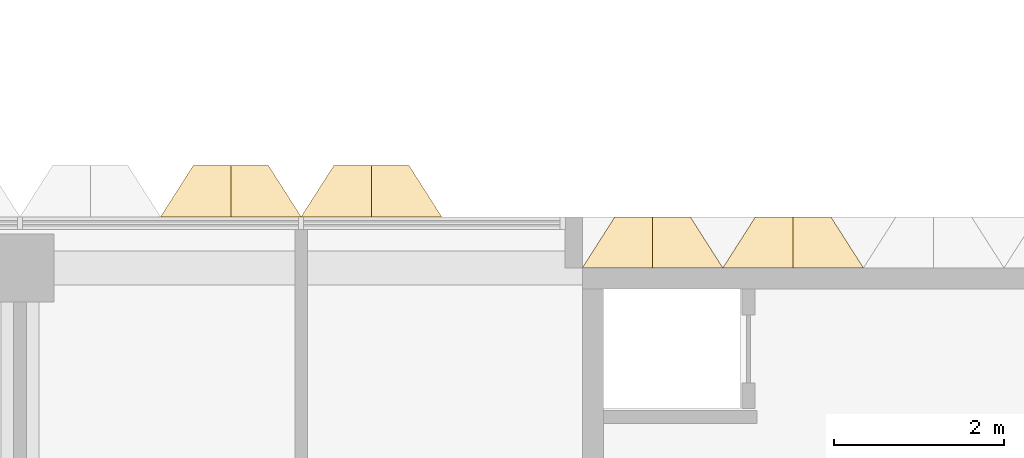
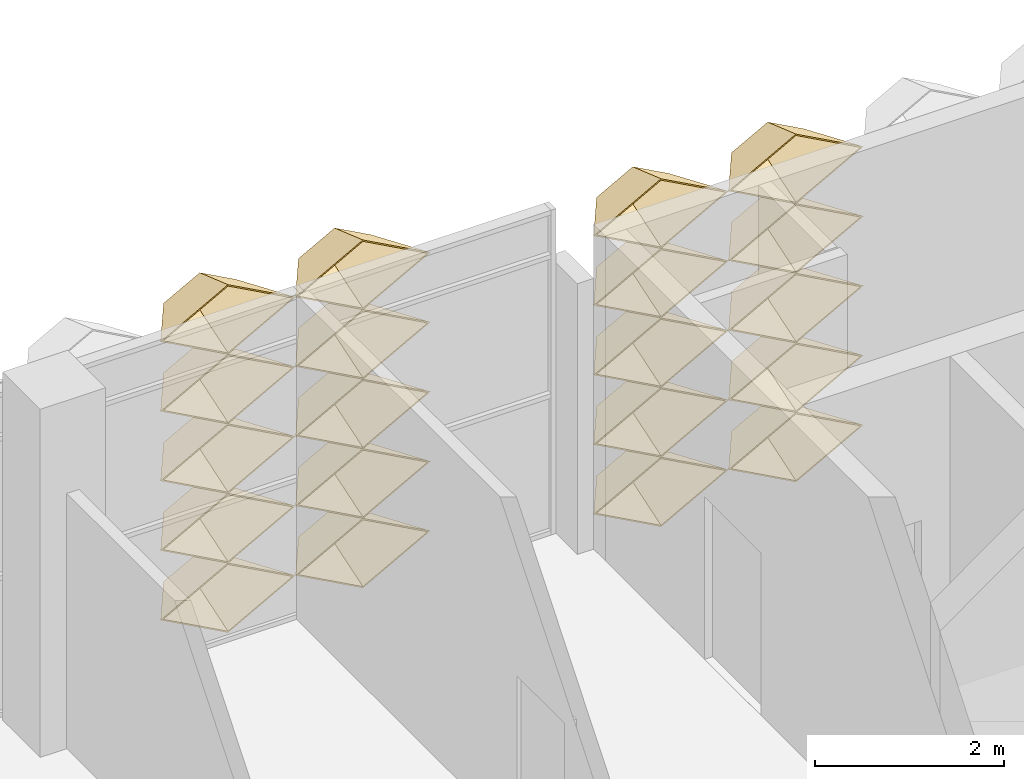
# One storey, part 50 of 87: 20 coverings.
"""IFC4 building model written with IfcOpenShell, lengths in metres."""

from ifc_helpers import new_model, entity, si_unit, direction, frame, origin, place, context, subcontext, project, spatial, material, layer, layer_set, type_object, element, save


model = new_model("IFC4")

# Units and contexts
model_context = context("Model", 3, precision=1e-05, world=origin(), true_north=direction((0.0, 1.0)))
body_context = subcontext(model_context, "Body", "Model", "MODEL_VIEW")
ifc_project = project(units=[si_unit("LENGTHUNIT", "METRE"), si_unit("AREAUNIT", "SQUARE_METRE"), si_unit("VOLUMEUNIT", "CUBIC_METRE"), si_unit("PLANEANGLEUNIT", "RADIAN"), si_unit("MASSUNIT", "GRAM", prefix="KILO")], contexts=[model_context])

# Site, building, storey
site_placement = place(None, origin())
site = spatial("IfcSite", under=ifc_project, at=site_placement, CompositionType="ELEMENT")
building_placement = place(site_placement, origin())
building = spatial("IfcBuilding", under=site, at=building_placement, Name="Lantern Court Research Institute", CompositionType="ELEMENT")
storey_placement = place(building_placement, frame((0.0, 0.0, 5.39990234375)))
storey = spatial("IfcBuildingStorey", under=building, at=storey_placement, Name="L01", CompositionType="ELEMENT", Elevation=5.39990234375)

# Coverings
ifc_material = material(Name="Anodised aluminium", Category="aluminium")
ifc_layer = layer(ifc_material, 0.01611328125)
ifc_layer_set = layer_set([ifc_layer], Name="Anodised aluminium")
covering_type = type_object("IfcCoveringType", Name="Fin cassette 1650 x 900 x 600 aluminium", PredefinedType="CLADDING", material=ifc_layer_set)
covering_1_placement = place(storey_placement, frame((20.625, 23.10009765625, 0.4501953125), z_axis=(0.0, 1.0, 0.0), x_axis=(-1.0, 0.0, 0.0)))
cartesian_point_1 = entity("IfcCartesianPoint", [0.824951171875, 0.0])
cartesian_point_2 = entity("IfcCartesianPoint", [0.79150390625, 0.0])
cartesian_point_3 = entity("IfcCartesianPoint", [0.44189453125, 0.0])
cartesian_point_4 = entity("IfcCartesianPoint", [0.43359375, 0.0])
element("IfcCovering", 1, at=covering_1_placement, inside=storey, type_object=covering_type, Name="Fin cassette V4N-L01 1.13", PredefinedType="CLADDING", context=body_context, shape_type="SweptSolid", body=[
    entity("IfcExtrudedAreaSolidTapered", entity("IfcArbitraryProfileDefWithVoids", "AREA", None, entity("IfcPolyline", [cartesian_point_1, entity("IfcCartesianPoint", [0.0, 0.449951171875]), entity("IfcCartesianPoint", [-0.824951171875, 0.0]), entity("IfcCartesianPoint", [0.0, -0.449951171875]), cartesian_point_1]), [entity("IfcPolyline", [cartesian_point_2, entity("IfcCartesianPoint", [0.0, 0.431884765625]), entity("IfcCartesianPoint", [-0.79150390625, 0.0]), entity("IfcCartesianPoint", [0.0, -0.431884765625]), cartesian_point_2])]), entity("IfcAxis2Placement3D", entity("IfcCartesianPoint", [0.0, 0.0, 0.0])), entity("IfcDirection", [0.0, 0.0, 1.0]), 0.60009765625, entity("IfcArbitraryProfileDefWithVoids", "AREA", None, entity("IfcPolyline", [cartesian_point_3, entity("IfcCartesianPoint", [0.0, 0.240966796875]), entity("IfcCartesianPoint", [-0.44189453125, 0.0]), entity("IfcCartesianPoint", [0.0, -0.240966796875]), cartesian_point_3]), [entity("IfcPolyline", [cartesian_point_4, entity("IfcCartesianPoint", [0.0, 0.236572265625]), entity("IfcCartesianPoint", [-0.43359375, 0.0]), entity("IfcCartesianPoint", [0.0, -0.236572265625]), cartesian_point_4])])),
])
covering_2_placement = place(storey_placement, frame((22.27490234375, 23.10009765625, 0.4501953125), z_axis=(0.0, 1.0, 0.0), x_axis=(-1.0, 0.0, 0.0)))
cartesian_point_5 = entity("IfcCartesianPoint", [0.824951171875, 0.0])
cartesian_point_6 = entity("IfcCartesianPoint", [0.79150390625, 0.0])
cartesian_point_7 = entity("IfcCartesianPoint", [0.44189453125, 0.0])
cartesian_point_8 = entity("IfcCartesianPoint", [0.43359375, 0.0])
element("IfcCovering", 2, at=covering_2_placement, inside=storey, type_object=covering_type, Name="Fin cassette V4N-L01 1.14", PredefinedType="CLADDING", context=body_context, shape_type="SweptSolid", body=[
    entity("IfcExtrudedAreaSolidTapered", entity("IfcArbitraryProfileDefWithVoids", "AREA", None, entity("IfcPolyline", [cartesian_point_5, entity("IfcCartesianPoint", [0.0, 0.449951171875]), entity("IfcCartesianPoint", [-0.824951171875, 0.0]), entity("IfcCartesianPoint", [0.0, -0.449951171875]), cartesian_point_5]), [entity("IfcPolyline", [cartesian_point_6, entity("IfcCartesianPoint", [0.0, 0.431884765625]), entity("IfcCartesianPoint", [-0.79150390625, 0.0]), entity("IfcCartesianPoint", [0.0, -0.431884765625]), cartesian_point_6])]), entity("IfcAxis2Placement3D", entity("IfcCartesianPoint", [0.0, 0.0, 0.0])), entity("IfcDirection", [0.0, 0.0, 1.0]), 0.60009765625, entity("IfcArbitraryProfileDefWithVoids", "AREA", None, entity("IfcPolyline", [cartesian_point_7, entity("IfcCartesianPoint", [0.0, 0.240966796875]), entity("IfcCartesianPoint", [-0.44189453125, 0.0]), entity("IfcCartesianPoint", [0.0, -0.240966796875]), cartesian_point_7]), [entity("IfcPolyline", [cartesian_point_8, entity("IfcCartesianPoint", [0.0, 0.236572265625]), entity("IfcCartesianPoint", [-0.43359375, 0.0]), entity("IfcCartesianPoint", [0.0, -0.236572265625]), cartesian_point_8])])),
])
covering_3_placement = place(storey_placement, frame((20.625, 23.10009765625, 1.35009765625), z_axis=(0.0, 1.0, 0.0), x_axis=(-1.0, 0.0, 0.0)))
cartesian_point_9 = entity("IfcCartesianPoint", [0.824951171875, 0.0])
cartesian_point_10 = entity("IfcCartesianPoint", [0.79150390625, 0.0])
cartesian_point_11 = entity("IfcCartesianPoint", [0.44189453125, 0.0])
cartesian_point_12 = entity("IfcCartesianPoint", [0.43359375, 0.0])
element("IfcCovering", 3, at=covering_3_placement, inside=storey, type_object=covering_type, Name="Fin cassette V4N-L01 2.13", PredefinedType="CLADDING", context=body_context, shape_type="SweptSolid", body=[
    entity("IfcExtrudedAreaSolidTapered", entity("IfcArbitraryProfileDefWithVoids", "AREA", None, entity("IfcPolyline", [cartesian_point_9, entity("IfcCartesianPoint", [0.0, 0.449951171875]), entity("IfcCartesianPoint", [-0.824951171875, 0.0]), entity("IfcCartesianPoint", [0.0, -0.449951171875]), cartesian_point_9]), [entity("IfcPolyline", [cartesian_point_10, entity("IfcCartesianPoint", [0.0, 0.431884765625]), entity("IfcCartesianPoint", [-0.79150390625, 0.0]), entity("IfcCartesianPoint", [0.0, -0.431884765625]), cartesian_point_10])]), entity("IfcAxis2Placement3D", entity("IfcCartesianPoint", [0.0, 0.0, 0.0])), entity("IfcDirection", [0.0, 0.0, 1.0]), 0.60009765625, entity("IfcArbitraryProfileDefWithVoids", "AREA", None, entity("IfcPolyline", [cartesian_point_11, entity("IfcCartesianPoint", [0.0, 0.240966796875]), entity("IfcCartesianPoint", [-0.44189453125, 0.0]), entity("IfcCartesianPoint", [0.0, -0.240966796875]), cartesian_point_11]), [entity("IfcPolyline", [cartesian_point_12, entity("IfcCartesianPoint", [0.0, 0.236572265625]), entity("IfcCartesianPoint", [-0.43359375, 0.0]), entity("IfcCartesianPoint", [0.0, -0.236572265625]), cartesian_point_12])])),
])
covering_4_placement = place(storey_placement, frame((22.27490234375, 23.10009765625, 1.35009765625), z_axis=(0.0, 1.0, 0.0), x_axis=(-1.0, 0.0, 0.0)))
cartesian_point_13 = entity("IfcCartesianPoint", [0.824951171875, 0.0])
cartesian_point_14 = entity("IfcCartesianPoint", [0.79150390625, 0.0])
cartesian_point_15 = entity("IfcCartesianPoint", [0.44189453125, 0.0])
cartesian_point_16 = entity("IfcCartesianPoint", [0.43359375, 0.0])
element("IfcCovering", 4, at=covering_4_placement, inside=storey, type_object=covering_type, Name="Fin cassette V4N-L01 2.14", PredefinedType="CLADDING", context=body_context, shape_type="SweptSolid", body=[
    entity("IfcExtrudedAreaSolidTapered", entity("IfcArbitraryProfileDefWithVoids", "AREA", None, entity("IfcPolyline", [cartesian_point_13, entity("IfcCartesianPoint", [0.0, 0.449951171875]), entity("IfcCartesianPoint", [-0.824951171875, 0.0]), entity("IfcCartesianPoint", [0.0, -0.449951171875]), cartesian_point_13]), [entity("IfcPolyline", [cartesian_point_14, entity("IfcCartesianPoint", [0.0, 0.431884765625]), entity("IfcCartesianPoint", [-0.79150390625, 0.0]), entity("IfcCartesianPoint", [0.0, -0.431884765625]), cartesian_point_14])]), entity("IfcAxis2Placement3D", entity("IfcCartesianPoint", [0.0, 0.0, 0.0])), entity("IfcDirection", [0.0, 0.0, 1.0]), 0.60009765625, entity("IfcArbitraryProfileDefWithVoids", "AREA", None, entity("IfcPolyline", [cartesian_point_15, entity("IfcCartesianPoint", [0.0, 0.240966796875]), entity("IfcCartesianPoint", [-0.44189453125, 0.0]), entity("IfcCartesianPoint", [0.0, -0.240966796875]), cartesian_point_15]), [entity("IfcPolyline", [cartesian_point_16, entity("IfcCartesianPoint", [0.0, 0.236572265625]), entity("IfcCartesianPoint", [-0.43359375, 0.0]), entity("IfcCartesianPoint", [0.0, -0.236572265625]), cartesian_point_16])])),
])
covering_5_placement = place(storey_placement, frame((20.625, 23.10009765625, 2.25), z_axis=(0.0, 1.0, 0.0), x_axis=(-1.0, 0.0, 0.0)))
cartesian_point_17 = entity("IfcCartesianPoint", [0.824951171875, 0.0])
cartesian_point_18 = entity("IfcCartesianPoint", [0.79150390625, 0.0])
cartesian_point_19 = entity("IfcCartesianPoint", [0.44189453125, 0.0])
cartesian_point_20 = entity("IfcCartesianPoint", [0.43359375, 0.0])
element("IfcCovering", 5, at=covering_5_placement, inside=storey, type_object=covering_type, Name="Fin cassette V4N-L01 3.13", PredefinedType="CLADDING", context=body_context, shape_type="SweptSolid", body=[
    entity("IfcExtrudedAreaSolidTapered", entity("IfcArbitraryProfileDefWithVoids", "AREA", None, entity("IfcPolyline", [cartesian_point_17, entity("IfcCartesianPoint", [0.0, 0.449951171875]), entity("IfcCartesianPoint", [-0.824951171875, 0.0]), entity("IfcCartesianPoint", [0.0, -0.449951171875]), cartesian_point_17]), [entity("IfcPolyline", [cartesian_point_18, entity("IfcCartesianPoint", [0.0, 0.431884765625]), entity("IfcCartesianPoint", [-0.79150390625, 0.0]), entity("IfcCartesianPoint", [0.0, -0.431884765625]), cartesian_point_18])]), entity("IfcAxis2Placement3D", entity("IfcCartesianPoint", [0.0, 0.0, 0.0])), entity("IfcDirection", [0.0, 0.0, 1.0]), 0.60009765625, entity("IfcArbitraryProfileDefWithVoids", "AREA", None, entity("IfcPolyline", [cartesian_point_19, entity("IfcCartesianPoint", [0.0, 0.240966796875]), entity("IfcCartesianPoint", [-0.44189453125, 0.0]), entity("IfcCartesianPoint", [0.0, -0.240966796875]), cartesian_point_19]), [entity("IfcPolyline", [cartesian_point_20, entity("IfcCartesianPoint", [0.0, 0.236572265625]), entity("IfcCartesianPoint", [-0.43359375, 0.0]), entity("IfcCartesianPoint", [0.0, -0.236572265625]), cartesian_point_20])])),
])
covering_6_placement = place(storey_placement, frame((22.27490234375, 23.10009765625, 2.25), z_axis=(0.0, 1.0, 0.0), x_axis=(-1.0, 0.0, 0.0)))
cartesian_point_21 = entity("IfcCartesianPoint", [0.824951171875, 0.0])
cartesian_point_22 = entity("IfcCartesianPoint", [0.79150390625, 0.0])
cartesian_point_23 = entity("IfcCartesianPoint", [0.44189453125, 0.0])
cartesian_point_24 = entity("IfcCartesianPoint", [0.43359375, 0.0])
element("IfcCovering", 6, at=covering_6_placement, inside=storey, type_object=covering_type, Name="Fin cassette V4N-L01 3.14", PredefinedType="CLADDING", context=body_context, shape_type="SweptSolid", body=[
    entity("IfcExtrudedAreaSolidTapered", entity("IfcArbitraryProfileDefWithVoids", "AREA", None, entity("IfcPolyline", [cartesian_point_21, entity("IfcCartesianPoint", [0.0, 0.449951171875]), entity("IfcCartesianPoint", [-0.824951171875, 0.0]), entity("IfcCartesianPoint", [0.0, -0.449951171875]), cartesian_point_21]), [entity("IfcPolyline", [cartesian_point_22, entity("IfcCartesianPoint", [0.0, 0.431884765625]), entity("IfcCartesianPoint", [-0.79150390625, 0.0]), entity("IfcCartesianPoint", [0.0, -0.431884765625]), cartesian_point_22])]), entity("IfcAxis2Placement3D", entity("IfcCartesianPoint", [0.0, 0.0, 0.0])), entity("IfcDirection", [0.0, 0.0, 1.0]), 0.60009765625, entity("IfcArbitraryProfileDefWithVoids", "AREA", None, entity("IfcPolyline", [cartesian_point_23, entity("IfcCartesianPoint", [0.0, 0.240966796875]), entity("IfcCartesianPoint", [-0.44189453125, 0.0]), entity("IfcCartesianPoint", [0.0, -0.240966796875]), cartesian_point_23]), [entity("IfcPolyline", [cartesian_point_24, entity("IfcCartesianPoint", [0.0, 0.236572265625]), entity("IfcCartesianPoint", [-0.43359375, 0.0]), entity("IfcCartesianPoint", [0.0, -0.236572265625]), cartesian_point_24])])),
])
covering_7_placement = place(storey_placement, frame((20.625, 23.10009765625, 3.150146484375), z_axis=(0.0, 1.0, 0.0), x_axis=(-1.0, 0.0, 0.0)))
cartesian_point_25 = entity("IfcCartesianPoint", [0.824951171875, 0.0])
cartesian_point_26 = entity("IfcCartesianPoint", [0.79150390625, 0.0])
cartesian_point_27 = entity("IfcCartesianPoint", [0.44189453125, 0.0])
cartesian_point_28 = entity("IfcCartesianPoint", [0.43359375, 0.0])
element("IfcCovering", 7, at=covering_7_placement, inside=storey, type_object=covering_type, Name="Fin cassette V4N-L01 4.13", PredefinedType="CLADDING", context=body_context, shape_type="SweptSolid", body=[
    entity("IfcExtrudedAreaSolidTapered", entity("IfcArbitraryProfileDefWithVoids", "AREA", None, entity("IfcPolyline", [cartesian_point_25, entity("IfcCartesianPoint", [0.0, 0.449951171875]), entity("IfcCartesianPoint", [-0.824951171875, 0.0]), entity("IfcCartesianPoint", [0.0, -0.449951171875]), cartesian_point_25]), [entity("IfcPolyline", [cartesian_point_26, entity("IfcCartesianPoint", [0.0, 0.431884765625]), entity("IfcCartesianPoint", [-0.79150390625, 0.0]), entity("IfcCartesianPoint", [0.0, -0.431884765625]), cartesian_point_26])]), entity("IfcAxis2Placement3D", entity("IfcCartesianPoint", [0.0, 0.0, 0.0])), entity("IfcDirection", [0.0, 0.0, 1.0]), 0.60009765625, entity("IfcArbitraryProfileDefWithVoids", "AREA", None, entity("IfcPolyline", [cartesian_point_27, entity("IfcCartesianPoint", [0.0, 0.240966796875]), entity("IfcCartesianPoint", [-0.44189453125, 0.0]), entity("IfcCartesianPoint", [0.0, -0.240966796875]), cartesian_point_27]), [entity("IfcPolyline", [cartesian_point_28, entity("IfcCartesianPoint", [0.0, 0.236572265625]), entity("IfcCartesianPoint", [-0.43359375, 0.0]), entity("IfcCartesianPoint", [0.0, -0.236572265625]), cartesian_point_28])])),
])
covering_8_placement = place(storey_placement, frame((22.27490234375, 23.10009765625, 3.150146484375), z_axis=(0.0, 1.0, 0.0), x_axis=(-1.0, 0.0, 0.0)))
cartesian_point_29 = entity("IfcCartesianPoint", [0.824951171875, 0.0])
cartesian_point_30 = entity("IfcCartesianPoint", [0.79150390625, 0.0])
cartesian_point_31 = entity("IfcCartesianPoint", [0.44189453125, 0.0])
cartesian_point_32 = entity("IfcCartesianPoint", [0.43359375, 0.0])
element("IfcCovering", 8, at=covering_8_placement, inside=storey, type_object=covering_type, Name="Fin cassette V4N-L01 4.14", PredefinedType="CLADDING", context=body_context, shape_type="SweptSolid", body=[
    entity("IfcExtrudedAreaSolidTapered", entity("IfcArbitraryProfileDefWithVoids", "AREA", None, entity("IfcPolyline", [cartesian_point_29, entity("IfcCartesianPoint", [0.0, 0.449951171875]), entity("IfcCartesianPoint", [-0.824951171875, 0.0]), entity("IfcCartesianPoint", [0.0, -0.449951171875]), cartesian_point_29]), [entity("IfcPolyline", [cartesian_point_30, entity("IfcCartesianPoint", [0.0, 0.431884765625]), entity("IfcCartesianPoint", [-0.79150390625, 0.0]), entity("IfcCartesianPoint", [0.0, -0.431884765625]), cartesian_point_30])]), entity("IfcAxis2Placement3D", entity("IfcCartesianPoint", [0.0, 0.0, 0.0])), entity("IfcDirection", [0.0, 0.0, 1.0]), 0.60009765625, entity("IfcArbitraryProfileDefWithVoids", "AREA", None, entity("IfcPolyline", [cartesian_point_31, entity("IfcCartesianPoint", [0.0, 0.240966796875]), entity("IfcCartesianPoint", [-0.44189453125, 0.0]), entity("IfcCartesianPoint", [0.0, -0.240966796875]), cartesian_point_31]), [entity("IfcPolyline", [cartesian_point_32, entity("IfcCartesianPoint", [0.0, 0.236572265625]), entity("IfcCartesianPoint", [-0.43359375, 0.0]), entity("IfcCartesianPoint", [0.0, -0.236572265625]), cartesian_point_32])])),
])
covering_9_placement = place(storey_placement, frame((20.625, 23.10009765625, 4.050048828125), z_axis=(0.0, 1.0, 0.0), x_axis=(-1.0, 0.0, 0.0)))
cartesian_point_33 = entity("IfcCartesianPoint", [0.824951171875, 0.0])
cartesian_point_34 = entity("IfcCartesianPoint", [0.79150390625, 0.0])
cartesian_point_35 = entity("IfcCartesianPoint", [0.44189453125, 0.0])
cartesian_point_36 = entity("IfcCartesianPoint", [0.43359375, 0.0])
element("IfcCovering", 9, at=covering_9_placement, inside=storey, type_object=covering_type, Name="Fin cassette V4N-L01 5.13", PredefinedType="CLADDING", context=body_context, shape_type="SweptSolid", body=[
    entity("IfcExtrudedAreaSolidTapered", entity("IfcArbitraryProfileDefWithVoids", "AREA", None, entity("IfcPolyline", [cartesian_point_33, entity("IfcCartesianPoint", [0.0, 0.449951171875]), entity("IfcCartesianPoint", [-0.824951171875, 0.0]), entity("IfcCartesianPoint", [0.0, -0.449951171875]), cartesian_point_33]), [entity("IfcPolyline", [cartesian_point_34, entity("IfcCartesianPoint", [0.0, 0.431884765625]), entity("IfcCartesianPoint", [-0.79150390625, 0.0]), entity("IfcCartesianPoint", [0.0, -0.431884765625]), cartesian_point_34])]), entity("IfcAxis2Placement3D", entity("IfcCartesianPoint", [0.0, 0.0, 0.0])), entity("IfcDirection", [0.0, 0.0, 1.0]), 0.60009765625, entity("IfcArbitraryProfileDefWithVoids", "AREA", None, entity("IfcPolyline", [cartesian_point_35, entity("IfcCartesianPoint", [0.0, 0.240966796875]), entity("IfcCartesianPoint", [-0.44189453125, 0.0]), entity("IfcCartesianPoint", [0.0, -0.240966796875]), cartesian_point_35]), [entity("IfcPolyline", [cartesian_point_36, entity("IfcCartesianPoint", [0.0, 0.236572265625]), entity("IfcCartesianPoint", [-0.43359375, 0.0]), entity("IfcCartesianPoint", [0.0, -0.236572265625]), cartesian_point_36])])),
])
covering_10_placement = place(storey_placement, frame((22.27490234375, 23.10009765625, 4.050048828125), z_axis=(0.0, 1.0, 0.0), x_axis=(-1.0, 0.0, 0.0)))
cartesian_point_37 = entity("IfcCartesianPoint", [0.824951171875, 0.0])
cartesian_point_38 = entity("IfcCartesianPoint", [0.79150390625, 0.0])
cartesian_point_39 = entity("IfcCartesianPoint", [0.44189453125, 0.0])
cartesian_point_40 = entity("IfcCartesianPoint", [0.43359375, 0.0])
element("IfcCovering", 10, at=covering_10_placement, inside=storey, type_object=covering_type, Name="Fin cassette V4N-L01 5.14", PredefinedType="CLADDING", context=body_context, shape_type="SweptSolid", body=[
    entity("IfcExtrudedAreaSolidTapered", entity("IfcArbitraryProfileDefWithVoids", "AREA", None, entity("IfcPolyline", [cartesian_point_37, entity("IfcCartesianPoint", [0.0, 0.449951171875]), entity("IfcCartesianPoint", [-0.824951171875, 0.0]), entity("IfcCartesianPoint", [0.0, -0.449951171875]), cartesian_point_37]), [entity("IfcPolyline", [cartesian_point_38, entity("IfcCartesianPoint", [0.0, 0.431884765625]), entity("IfcCartesianPoint", [-0.79150390625, 0.0]), entity("IfcCartesianPoint", [0.0, -0.431884765625]), cartesian_point_38])]), entity("IfcAxis2Placement3D", entity("IfcCartesianPoint", [0.0, 0.0, 0.0])), entity("IfcDirection", [0.0, 0.0, 1.0]), 0.60009765625, entity("IfcArbitraryProfileDefWithVoids", "AREA", None, entity("IfcPolyline", [cartesian_point_39, entity("IfcCartesianPoint", [0.0, 0.240966796875]), entity("IfcCartesianPoint", [-0.44189453125, 0.0]), entity("IfcCartesianPoint", [0.0, -0.240966796875]), cartesian_point_39]), [entity("IfcPolyline", [cartesian_point_40, entity("IfcCartesianPoint", [0.0, 0.236572265625]), entity("IfcCartesianPoint", [-0.43359375, 0.0]), entity("IfcCartesianPoint", [0.0, -0.236572265625]), cartesian_point_40])])),
])
covering_11_placement = place(storey_placement, frame((15.675048828125, 23.699951171875, 0.4501953125), z_axis=(0.0, 1.0, 0.0), x_axis=(-1.0, 0.0, 0.0)))
cartesian_point_41 = entity("IfcCartesianPoint", [0.824951171875, 0.0])
cartesian_point_42 = entity("IfcCartesianPoint", [0.79150390625, 0.0])
cartesian_point_43 = entity("IfcCartesianPoint", [0.44189453125, 0.0])
cartesian_point_44 = entity("IfcCartesianPoint", [0.43359375, 0.0])
element("IfcCovering", 11, at=covering_11_placement, inside=storey, type_object=covering_type, Name="Fin cassette V4N-L01 1.10", PredefinedType="CLADDING", context=body_context, shape_type="SweptSolid", body=[
    entity("IfcExtrudedAreaSolidTapered", entity("IfcArbitraryProfileDefWithVoids", "AREA", None, entity("IfcPolyline", [cartesian_point_41, entity("IfcCartesianPoint", [0.0, 0.449951171875]), entity("IfcCartesianPoint", [-0.824951171875, 0.0]), entity("IfcCartesianPoint", [0.0, -0.449951171875]), cartesian_point_41]), [entity("IfcPolyline", [cartesian_point_42, entity("IfcCartesianPoint", [0.0, 0.431884765625]), entity("IfcCartesianPoint", [-0.79150390625, 0.0]), entity("IfcCartesianPoint", [0.0, -0.431884765625]), cartesian_point_42])]), entity("IfcAxis2Placement3D", entity("IfcCartesianPoint", [0.0, 0.0, 0.0])), entity("IfcDirection", [0.0, 0.0, 1.0]), 0.60009765625, entity("IfcArbitraryProfileDefWithVoids", "AREA", None, entity("IfcPolyline", [cartesian_point_43, entity("IfcCartesianPoint", [0.0, 0.240966796875]), entity("IfcCartesianPoint", [-0.44189453125, 0.0]), entity("IfcCartesianPoint", [0.0, -0.240966796875]), cartesian_point_43]), [entity("IfcPolyline", [cartesian_point_44, entity("IfcCartesianPoint", [0.0, 0.236572265625]), entity("IfcCartesianPoint", [-0.43359375, 0.0]), entity("IfcCartesianPoint", [0.0, -0.236572265625]), cartesian_point_44])])),
])
covering_12_placement = place(storey_placement, frame((17.324951171875, 23.699951171875, 0.4501953125), z_axis=(0.0, 1.0, 0.0), x_axis=(-1.0, 0.0, 0.0)))
cartesian_point_45 = entity("IfcCartesianPoint", [0.824951171875, 0.0])
cartesian_point_46 = entity("IfcCartesianPoint", [0.79150390625, 0.0])
cartesian_point_47 = entity("IfcCartesianPoint", [0.44189453125, 0.0])
cartesian_point_48 = entity("IfcCartesianPoint", [0.43359375, 0.0])
element("IfcCovering", 12, at=covering_12_placement, inside=storey, type_object=covering_type, Name="Fin cassette V4N-L01 1.11", PredefinedType="CLADDING", context=body_context, shape_type="SweptSolid", body=[
    entity("IfcExtrudedAreaSolidTapered", entity("IfcArbitraryProfileDefWithVoids", "AREA", None, entity("IfcPolyline", [cartesian_point_45, entity("IfcCartesianPoint", [0.0, 0.449951171875]), entity("IfcCartesianPoint", [-0.824951171875, 0.0]), entity("IfcCartesianPoint", [0.0, -0.449951171875]), cartesian_point_45]), [entity("IfcPolyline", [cartesian_point_46, entity("IfcCartesianPoint", [0.0, 0.431884765625]), entity("IfcCartesianPoint", [-0.79150390625, 0.0]), entity("IfcCartesianPoint", [0.0, -0.431884765625]), cartesian_point_46])]), entity("IfcAxis2Placement3D", entity("IfcCartesianPoint", [0.0, 0.0, 0.0])), entity("IfcDirection", [0.0, 0.0, 1.0]), 0.60009765625, entity("IfcArbitraryProfileDefWithVoids", "AREA", None, entity("IfcPolyline", [cartesian_point_47, entity("IfcCartesianPoint", [0.0, 0.240966796875]), entity("IfcCartesianPoint", [-0.44189453125, 0.0]), entity("IfcCartesianPoint", [0.0, -0.240966796875]), cartesian_point_47]), [entity("IfcPolyline", [cartesian_point_48, entity("IfcCartesianPoint", [0.0, 0.236572265625]), entity("IfcCartesianPoint", [-0.43359375, 0.0]), entity("IfcCartesianPoint", [0.0, -0.236572265625]), cartesian_point_48])])),
])
covering_13_placement = place(storey_placement, frame((15.675048828125, 23.699951171875, 1.35009765625), z_axis=(0.0, 1.0, 0.0), x_axis=(-1.0, 0.0, 0.0)))
cartesian_point_49 = entity("IfcCartesianPoint", [0.824951171875, 0.0])
cartesian_point_50 = entity("IfcCartesianPoint", [0.79150390625, 0.0])
cartesian_point_51 = entity("IfcCartesianPoint", [0.44189453125, 0.0])
cartesian_point_52 = entity("IfcCartesianPoint", [0.43359375, 0.0])
element("IfcCovering", 13, at=covering_13_placement, inside=storey, type_object=covering_type, Name="Fin cassette V4N-L01 2.10", PredefinedType="CLADDING", context=body_context, shape_type="SweptSolid", body=[
    entity("IfcExtrudedAreaSolidTapered", entity("IfcArbitraryProfileDefWithVoids", "AREA", None, entity("IfcPolyline", [cartesian_point_49, entity("IfcCartesianPoint", [0.0, 0.449951171875]), entity("IfcCartesianPoint", [-0.824951171875, 0.0]), entity("IfcCartesianPoint", [0.0, -0.449951171875]), cartesian_point_49]), [entity("IfcPolyline", [cartesian_point_50, entity("IfcCartesianPoint", [0.0, 0.431884765625]), entity("IfcCartesianPoint", [-0.79150390625, 0.0]), entity("IfcCartesianPoint", [0.0, -0.431884765625]), cartesian_point_50])]), entity("IfcAxis2Placement3D", entity("IfcCartesianPoint", [0.0, 0.0, 0.0])), entity("IfcDirection", [0.0, 0.0, 1.0]), 0.60009765625, entity("IfcArbitraryProfileDefWithVoids", "AREA", None, entity("IfcPolyline", [cartesian_point_51, entity("IfcCartesianPoint", [0.0, 0.240966796875]), entity("IfcCartesianPoint", [-0.44189453125, 0.0]), entity("IfcCartesianPoint", [0.0, -0.240966796875]), cartesian_point_51]), [entity("IfcPolyline", [cartesian_point_52, entity("IfcCartesianPoint", [0.0, 0.236572265625]), entity("IfcCartesianPoint", [-0.43359375, 0.0]), entity("IfcCartesianPoint", [0.0, -0.236572265625]), cartesian_point_52])])),
])
covering_14_placement = place(storey_placement, frame((17.324951171875, 23.699951171875, 1.35009765625), z_axis=(0.0, 1.0, 0.0), x_axis=(-1.0, 0.0, 0.0)))
cartesian_point_53 = entity("IfcCartesianPoint", [0.824951171875, 0.0])
cartesian_point_54 = entity("IfcCartesianPoint", [0.79150390625, 0.0])
cartesian_point_55 = entity("IfcCartesianPoint", [0.44189453125, 0.0])
cartesian_point_56 = entity("IfcCartesianPoint", [0.43359375, 0.0])
element("IfcCovering", 14, at=covering_14_placement, inside=storey, type_object=covering_type, Name="Fin cassette V4N-L01 2.11", PredefinedType="CLADDING", context=body_context, shape_type="SweptSolid", body=[
    entity("IfcExtrudedAreaSolidTapered", entity("IfcArbitraryProfileDefWithVoids", "AREA", None, entity("IfcPolyline", [cartesian_point_53, entity("IfcCartesianPoint", [0.0, 0.449951171875]), entity("IfcCartesianPoint", [-0.824951171875, 0.0]), entity("IfcCartesianPoint", [0.0, -0.449951171875]), cartesian_point_53]), [entity("IfcPolyline", [cartesian_point_54, entity("IfcCartesianPoint", [0.0, 0.431884765625]), entity("IfcCartesianPoint", [-0.79150390625, 0.0]), entity("IfcCartesianPoint", [0.0, -0.431884765625]), cartesian_point_54])]), entity("IfcAxis2Placement3D", entity("IfcCartesianPoint", [0.0, 0.0, 0.0])), entity("IfcDirection", [0.0, 0.0, 1.0]), 0.60009765625, entity("IfcArbitraryProfileDefWithVoids", "AREA", None, entity("IfcPolyline", [cartesian_point_55, entity("IfcCartesianPoint", [0.0, 0.240966796875]), entity("IfcCartesianPoint", [-0.44189453125, 0.0]), entity("IfcCartesianPoint", [0.0, -0.240966796875]), cartesian_point_55]), [entity("IfcPolyline", [cartesian_point_56, entity("IfcCartesianPoint", [0.0, 0.236572265625]), entity("IfcCartesianPoint", [-0.43359375, 0.0]), entity("IfcCartesianPoint", [0.0, -0.236572265625]), cartesian_point_56])])),
])
covering_15_placement = place(storey_placement, frame((15.675048828125, 23.699951171875, 2.25), z_axis=(0.0, 1.0, 0.0), x_axis=(-1.0, 0.0, 0.0)))
cartesian_point_57 = entity("IfcCartesianPoint", [0.824951171875, 0.0])
cartesian_point_58 = entity("IfcCartesianPoint", [0.79150390625, 0.0])
cartesian_point_59 = entity("IfcCartesianPoint", [0.44189453125, 0.0])
cartesian_point_60 = entity("IfcCartesianPoint", [0.43359375, 0.0])
element("IfcCovering", 15, at=covering_15_placement, inside=storey, type_object=covering_type, Name="Fin cassette V4N-L01 3.10", PredefinedType="CLADDING", context=body_context, shape_type="SweptSolid", body=[
    entity("IfcExtrudedAreaSolidTapered", entity("IfcArbitraryProfileDefWithVoids", "AREA", None, entity("IfcPolyline", [cartesian_point_57, entity("IfcCartesianPoint", [0.0, 0.449951171875]), entity("IfcCartesianPoint", [-0.824951171875, 0.0]), entity("IfcCartesianPoint", [0.0, -0.449951171875]), cartesian_point_57]), [entity("IfcPolyline", [cartesian_point_58, entity("IfcCartesianPoint", [0.0, 0.431884765625]), entity("IfcCartesianPoint", [-0.79150390625, 0.0]), entity("IfcCartesianPoint", [0.0, -0.431884765625]), cartesian_point_58])]), entity("IfcAxis2Placement3D", entity("IfcCartesianPoint", [0.0, 0.0, 0.0])), entity("IfcDirection", [0.0, 0.0, 1.0]), 0.60009765625, entity("IfcArbitraryProfileDefWithVoids", "AREA", None, entity("IfcPolyline", [cartesian_point_59, entity("IfcCartesianPoint", [0.0, 0.240966796875]), entity("IfcCartesianPoint", [-0.44189453125, 0.0]), entity("IfcCartesianPoint", [0.0, -0.240966796875]), cartesian_point_59]), [entity("IfcPolyline", [cartesian_point_60, entity("IfcCartesianPoint", [0.0, 0.236572265625]), entity("IfcCartesianPoint", [-0.43359375, 0.0]), entity("IfcCartesianPoint", [0.0, -0.236572265625]), cartesian_point_60])])),
])
covering_16_placement = place(storey_placement, frame((17.324951171875, 23.699951171875, 2.25), z_axis=(0.0, 1.0, 0.0), x_axis=(-1.0, 0.0, 0.0)))
cartesian_point_61 = entity("IfcCartesianPoint", [0.824951171875, 0.0])
cartesian_point_62 = entity("IfcCartesianPoint", [0.79150390625, 0.0])
cartesian_point_63 = entity("IfcCartesianPoint", [0.44189453125, 0.0])
cartesian_point_64 = entity("IfcCartesianPoint", [0.43359375, 0.0])
element("IfcCovering", 16, at=covering_16_placement, inside=storey, type_object=covering_type, Name="Fin cassette V4N-L01 3.11", PredefinedType="CLADDING", context=body_context, shape_type="SweptSolid", body=[
    entity("IfcExtrudedAreaSolidTapered", entity("IfcArbitraryProfileDefWithVoids", "AREA", None, entity("IfcPolyline", [cartesian_point_61, entity("IfcCartesianPoint", [0.0, 0.449951171875]), entity("IfcCartesianPoint", [-0.824951171875, 0.0]), entity("IfcCartesianPoint", [0.0, -0.449951171875]), cartesian_point_61]), [entity("IfcPolyline", [cartesian_point_62, entity("IfcCartesianPoint", [0.0, 0.431884765625]), entity("IfcCartesianPoint", [-0.79150390625, 0.0]), entity("IfcCartesianPoint", [0.0, -0.431884765625]), cartesian_point_62])]), entity("IfcAxis2Placement3D", entity("IfcCartesianPoint", [0.0, 0.0, 0.0])), entity("IfcDirection", [0.0, 0.0, 1.0]), 0.60009765625, entity("IfcArbitraryProfileDefWithVoids", "AREA", None, entity("IfcPolyline", [cartesian_point_63, entity("IfcCartesianPoint", [0.0, 0.240966796875]), entity("IfcCartesianPoint", [-0.44189453125, 0.0]), entity("IfcCartesianPoint", [0.0, -0.240966796875]), cartesian_point_63]), [entity("IfcPolyline", [cartesian_point_64, entity("IfcCartesianPoint", [0.0, 0.236572265625]), entity("IfcCartesianPoint", [-0.43359375, 0.0]), entity("IfcCartesianPoint", [0.0, -0.236572265625]), cartesian_point_64])])),
])
covering_17_placement = place(storey_placement, frame((15.675048828125, 23.699951171875, 3.150146484375), z_axis=(0.0, 1.0, 0.0), x_axis=(-1.0, 0.0, 0.0)))
cartesian_point_65 = entity("IfcCartesianPoint", [0.824951171875, 0.0])
cartesian_point_66 = entity("IfcCartesianPoint", [0.79150390625, 0.0])
cartesian_point_67 = entity("IfcCartesianPoint", [0.44189453125, 0.0])
cartesian_point_68 = entity("IfcCartesianPoint", [0.43359375, 0.0])
element("IfcCovering", 17, at=covering_17_placement, inside=storey, type_object=covering_type, Name="Fin cassette V4N-L01 4.10", PredefinedType="CLADDING", context=body_context, shape_type="SweptSolid", body=[
    entity("IfcExtrudedAreaSolidTapered", entity("IfcArbitraryProfileDefWithVoids", "AREA", None, entity("IfcPolyline", [cartesian_point_65, entity("IfcCartesianPoint", [0.0, 0.449951171875]), entity("IfcCartesianPoint", [-0.824951171875, 0.0]), entity("IfcCartesianPoint", [0.0, -0.449951171875]), cartesian_point_65]), [entity("IfcPolyline", [cartesian_point_66, entity("IfcCartesianPoint", [0.0, 0.431884765625]), entity("IfcCartesianPoint", [-0.79150390625, 0.0]), entity("IfcCartesianPoint", [0.0, -0.431884765625]), cartesian_point_66])]), entity("IfcAxis2Placement3D", entity("IfcCartesianPoint", [0.0, 0.0, 0.0])), entity("IfcDirection", [0.0, 0.0, 1.0]), 0.60009765625, entity("IfcArbitraryProfileDefWithVoids", "AREA", None, entity("IfcPolyline", [cartesian_point_67, entity("IfcCartesianPoint", [0.0, 0.240966796875]), entity("IfcCartesianPoint", [-0.44189453125, 0.0]), entity("IfcCartesianPoint", [0.0, -0.240966796875]), cartesian_point_67]), [entity("IfcPolyline", [cartesian_point_68, entity("IfcCartesianPoint", [0.0, 0.236572265625]), entity("IfcCartesianPoint", [-0.43359375, 0.0]), entity("IfcCartesianPoint", [0.0, -0.236572265625]), cartesian_point_68])])),
])
covering_18_placement = place(storey_placement, frame((17.324951171875, 23.699951171875, 3.150146484375), z_axis=(0.0, 1.0, 0.0), x_axis=(-1.0, 0.0, 0.0)))
cartesian_point_69 = entity("IfcCartesianPoint", [0.824951171875, 0.0])
cartesian_point_70 = entity("IfcCartesianPoint", [0.79150390625, 0.0])
cartesian_point_71 = entity("IfcCartesianPoint", [0.44189453125, 0.0])
cartesian_point_72 = entity("IfcCartesianPoint", [0.43359375, 0.0])
element("IfcCovering", 18, at=covering_18_placement, inside=storey, type_object=covering_type, Name="Fin cassette V4N-L01 4.11", PredefinedType="CLADDING", context=body_context, shape_type="SweptSolid", body=[
    entity("IfcExtrudedAreaSolidTapered", entity("IfcArbitraryProfileDefWithVoids", "AREA", None, entity("IfcPolyline", [cartesian_point_69, entity("IfcCartesianPoint", [0.0, 0.449951171875]), entity("IfcCartesianPoint", [-0.824951171875, 0.0]), entity("IfcCartesianPoint", [0.0, -0.449951171875]), cartesian_point_69]), [entity("IfcPolyline", [cartesian_point_70, entity("IfcCartesianPoint", [0.0, 0.431884765625]), entity("IfcCartesianPoint", [-0.79150390625, 0.0]), entity("IfcCartesianPoint", [0.0, -0.431884765625]), cartesian_point_70])]), entity("IfcAxis2Placement3D", entity("IfcCartesianPoint", [0.0, 0.0, 0.0])), entity("IfcDirection", [0.0, 0.0, 1.0]), 0.60009765625, entity("IfcArbitraryProfileDefWithVoids", "AREA", None, entity("IfcPolyline", [cartesian_point_71, entity("IfcCartesianPoint", [0.0, 0.240966796875]), entity("IfcCartesianPoint", [-0.44189453125, 0.0]), entity("IfcCartesianPoint", [0.0, -0.240966796875]), cartesian_point_71]), [entity("IfcPolyline", [cartesian_point_72, entity("IfcCartesianPoint", [0.0, 0.236572265625]), entity("IfcCartesianPoint", [-0.43359375, 0.0]), entity("IfcCartesianPoint", [0.0, -0.236572265625]), cartesian_point_72])])),
])
covering_19_placement = place(storey_placement, frame((15.675048828125, 23.699951171875, 4.050048828125), z_axis=(0.0, 1.0, 0.0), x_axis=(-1.0, 0.0, 0.0)))
cartesian_point_73 = entity("IfcCartesianPoint", [0.824951171875, 0.0])
cartesian_point_74 = entity("IfcCartesianPoint", [0.79150390625, 0.0])
cartesian_point_75 = entity("IfcCartesianPoint", [0.44189453125, 0.0])
cartesian_point_76 = entity("IfcCartesianPoint", [0.43359375, 0.0])
element("IfcCovering", 19, at=covering_19_placement, inside=storey, type_object=covering_type, Name="Fin cassette V4N-L01 5.10", PredefinedType="CLADDING", context=body_context, shape_type="SweptSolid", body=[
    entity("IfcExtrudedAreaSolidTapered", entity("IfcArbitraryProfileDefWithVoids", "AREA", None, entity("IfcPolyline", [cartesian_point_73, entity("IfcCartesianPoint", [0.0, 0.449951171875]), entity("IfcCartesianPoint", [-0.824951171875, 0.0]), entity("IfcCartesianPoint", [0.0, -0.449951171875]), cartesian_point_73]), [entity("IfcPolyline", [cartesian_point_74, entity("IfcCartesianPoint", [0.0, 0.431884765625]), entity("IfcCartesianPoint", [-0.79150390625, 0.0]), entity("IfcCartesianPoint", [0.0, -0.431884765625]), cartesian_point_74])]), entity("IfcAxis2Placement3D", entity("IfcCartesianPoint", [0.0, 0.0, 0.0])), entity("IfcDirection", [0.0, 0.0, 1.0]), 0.60009765625, entity("IfcArbitraryProfileDefWithVoids", "AREA", None, entity("IfcPolyline", [cartesian_point_75, entity("IfcCartesianPoint", [0.0, 0.240966796875]), entity("IfcCartesianPoint", [-0.44189453125, 0.0]), entity("IfcCartesianPoint", [0.0, -0.240966796875]), cartesian_point_75]), [entity("IfcPolyline", [cartesian_point_76, entity("IfcCartesianPoint", [0.0, 0.236572265625]), entity("IfcCartesianPoint", [-0.43359375, 0.0]), entity("IfcCartesianPoint", [0.0, -0.236572265625]), cartesian_point_76])])),
])
covering_20_placement = place(storey_placement, frame((17.324951171875, 23.699951171875, 4.050048828125), z_axis=(0.0, 1.0, 0.0), x_axis=(-1.0, 0.0, 0.0)))
cartesian_point_77 = entity("IfcCartesianPoint", [0.824951171875, 0.0])
cartesian_point_78 = entity("IfcCartesianPoint", [0.79150390625, 0.0])
cartesian_point_79 = entity("IfcCartesianPoint", [0.44189453125, 0.0])
cartesian_point_80 = entity("IfcCartesianPoint", [0.43359375, 0.0])
element("IfcCovering", 20, at=covering_20_placement, inside=storey, type_object=covering_type, Name="Fin cassette V4N-L01 5.11", PredefinedType="CLADDING", context=body_context, shape_type="SweptSolid", body=[
    entity("IfcExtrudedAreaSolidTapered", entity("IfcArbitraryProfileDefWithVoids", "AREA", None, entity("IfcPolyline", [cartesian_point_77, entity("IfcCartesianPoint", [0.0, 0.449951171875]), entity("IfcCartesianPoint", [-0.824951171875, 0.0]), entity("IfcCartesianPoint", [0.0, -0.449951171875]), cartesian_point_77]), [entity("IfcPolyline", [cartesian_point_78, entity("IfcCartesianPoint", [0.0, 0.431884765625]), entity("IfcCartesianPoint", [-0.79150390625, 0.0]), entity("IfcCartesianPoint", [0.0, -0.431884765625]), cartesian_point_78])]), entity("IfcAxis2Placement3D", entity("IfcCartesianPoint", [0.0, 0.0, 0.0])), entity("IfcDirection", [0.0, 0.0, 1.0]), 0.60009765625, entity("IfcArbitraryProfileDefWithVoids", "AREA", None, entity("IfcPolyline", [cartesian_point_79, entity("IfcCartesianPoint", [0.0, 0.240966796875]), entity("IfcCartesianPoint", [-0.44189453125, 0.0]), entity("IfcCartesianPoint", [0.0, -0.240966796875]), cartesian_point_79]), [entity("IfcPolyline", [cartesian_point_80, entity("IfcCartesianPoint", [0.0, 0.236572265625]), entity("IfcCartesianPoint", [-0.43359375, 0.0]), entity("IfcCartesianPoint", [0.0, -0.236572265625]), cartesian_point_80])])),
])

save(model, "model.ifc")
